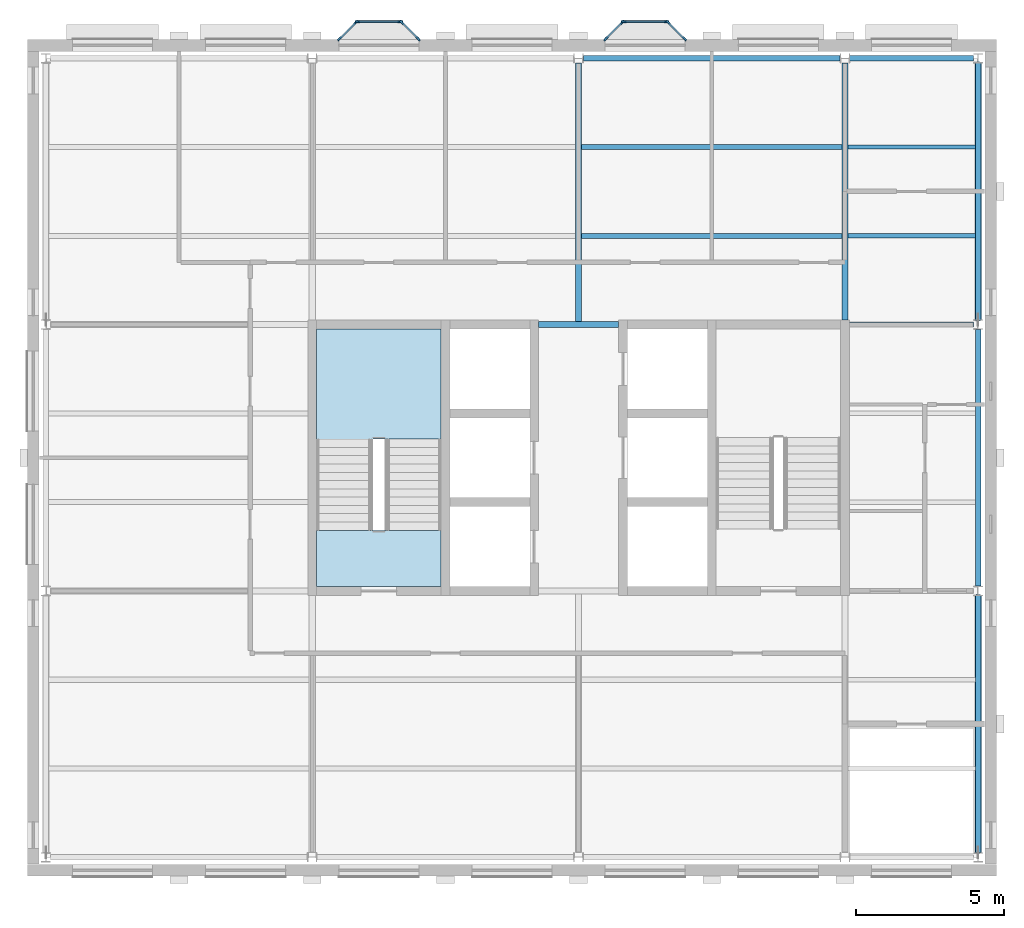
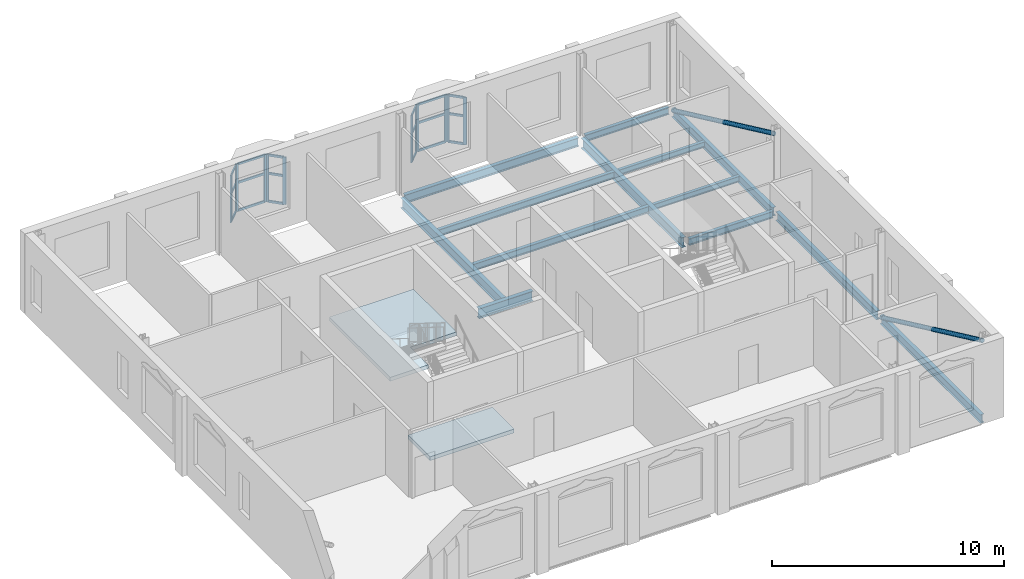
# One storey, part 2 of 9: 32 members, 13 beams, 2 slabs, 7 elements without a shape of their own.
"""IFC4 building model written with IfcOpenShell, lengths in metres."""

from ifc_helpers import new_model, si_unit, direction, frame, origin, origin_2d, place, context, subcontext, project, spatial, polyline, rectangle, hollow_circle, i_section, outline, extrude, material, layer, layer_set, material_profile, profile_set, type_object, element, aggregate, save


model = new_model("IFC4")

# Units and contexts
model_context = context("Model", 3, precision=1e-05, world=origin(), true_north=direction((0.0, 1.0)))
body_context = subcontext(model_context, "Body", "Model", "MODEL_VIEW")
ifc_project = project(units=[si_unit("LENGTHUNIT", "METRE"), si_unit("AREAUNIT", "SQUARE_METRE"), si_unit("VOLUMEUNIT", "CUBIC_METRE"), si_unit("PLANEANGLEUNIT", "RADIAN"), si_unit("MASSUNIT", "GRAM", prefix="KILO")], contexts=[model_context])

# Site, building, storey
site_placement = place(None, origin())
site = spatial("IfcSite", under=ifc_project, at=site_placement, CompositionType="ELEMENT")
building_placement = place(site_placement, origin())
building = spatial("IfcBuilding", under=site, at=building_placement, Name="Hortulan Conservatory and Botanical Research Centre", CompositionType="ELEMENT")
storey_placement = place(building_placement, frame((0.0, 0.0, 52.800048828125)))
storey = spatial("IfcBuildingStorey", under=building, at=storey_placement, Name="L12", CompositionType="ELEMENT", Elevation=52.800048828125)

# Members
ifc_material_1 = material(Name="Steel Grade C350L0 (350 MPa, AS/NZS 1163)", Category="steel")
ifc_material_profile_1 = material_profile(ifc_material_1, hollow_circle(Radius=0.109619140625, WallThickness=0.00830078125, at=origin_2d()), Name="219.1x8.2CHS")
ifc_profile_set_1 = profile_set([ifc_material_profile_1], Name="Steel Grade C350L0 (350 MPa, AS/NZS 1163)")
member_type_1 = type_object("IfcMemberType", Name="Brace 219.1x8.2CHS", PredefinedType="BRACE", material=ifc_profile_set_1)
for number, where, z_axis, x_axis, name in (
    (1, (31.5, 8.839599609375, -0.28369140625), (0.0, -0.906183139995, 0.422885465331), (1.0, 0.0, 0.0), "219.1x8.2CHS brace"),
    (2, (31.5, 26.839599609375, -0.28369140625), (0.0, -0.906183139995, 0.422885465331), (1.0, 0.0, 0.0), "219.1x8.2CHS brace"),
):
    element("IfcMember", number, at=place(storey_placement, frame(where, z_axis=z_axis, x_axis=x_axis)), inside=storey, type_object=member_type_1, Name=name, PredefinedType="BRACE", context=body_context, shape_type="SweptSolid", body=[
        extrude(hollow_circle(Radius=0.109619140625, WallThickness=0.00830078125, at=origin_2d()), origin(), (0.0, 0.0, 1.0), 9.57763671875),
    ])

# Curtain wall, members
ifc_material_2 = material(Name="Bronze-finished aluminium", Category="aluminium")
ifc_layer_1 = layer(ifc_material_2, 0.10009765625)
ifc_layer_set_1 = layer_set([ifc_layer_1], Name="Oriel Curtain Wall 1350 module")
curtain_wall_type = type_object("IfcCurtainWallType", Name="Oriel Curtain Wall 1350 module", PredefinedType="NOTDEFINED", material=ifc_layer_set_1)
curtain_wall_1_placement = place(storey_placement, origin())
curtain_wall_1 = element("IfcCurtainWall", 3, at=curtain_wall_1_placement, inside=storey, type_object=curtain_wall_type, Name="Oriel glazing", PredefinedType="NOTDEFINED")
ifc_material_profile_2 = material_profile(ifc_material_2, rectangle(XDim=0.06005859375, YDim=0.159912109375, at=origin_2d()), Name="Bronze Mullion 60x160")
ifc_profile_set_2 = profile_set([ifc_material_profile_2], Name="Bronze-finished aluminium")
member_type_2 = type_object("IfcMemberType", Name="Bronze Mullion 60x160", PredefinedType="MULLION", material=ifc_profile_set_2)
member_1_placement = place(storey_placement, frame((9.921142578125, 27.6572265625, 0.89990234375), z_axis=(0.0, 0.0, 1.0), x_axis=(-0.707106781187, 0.707106781187, 0.0)))
member_1 = element("IfcMember", 4, at=member_1_placement, type_object=member_type_2, Name="CW2 mullion 1", PredefinedType="MULLION", context=body_context, shape_type="SweptSolid", body=[
    extrude(rectangle(XDim=0.06005859375, YDim=0.159912109375, at=origin_2d()), origin(), (0.0, 0.0, 1.0), 2.5),
])
member_2_placement = place(storey_placement, frame((10.478759765625, 28.21484375, 0.89990234375), z_axis=(0.0, 0.0, 1.0), x_axis=(-0.707106781187, 0.707106781187, 0.0)))
member_2 = element("IfcMember", 5, at=member_2_placement, type_object=member_type_2, Name="CW2 mullion 2", PredefinedType="MULLION", context=body_context, shape_type="SweptSolid", body=[
    extrude(rectangle(XDim=0.06005859375, YDim=0.159912109375, at=origin_2d()), origin(), (0.0, 0.0, 1.0), 2.5),
])

curtain_wall_2_placement = place(storey_placement, origin())
curtain_wall_2 = element("IfcCurtainWall", 6, at=curtain_wall_2_placement, inside=storey, type_object=curtain_wall_type, Name="Oriel glazing", PredefinedType="NOTDEFINED")
member_3_placement = place(storey_placement, frame((10.530029296875, 28.236083984375, 0.89990234375), z_axis=(0.0, 0.0, 1.0), x_axis=(0.0, 1.0, 0.0)))
member_3 = element("IfcMember", 7, at=member_3_placement, type_object=member_type_2, Name="CW2 mullion 1", PredefinedType="MULLION", context=body_context, shape_type="SweptSolid", body=[
    extrude(rectangle(XDim=0.06005859375, YDim=0.159912109375, at=origin_2d()), origin(), (0.0, 0.0, 1.0), 2.5),
])
member_4_placement = place(storey_placement, frame((11.969970703125, 28.236083984375, 0.89990234375), z_axis=(0.0, 0.0, 1.0), x_axis=(0.0, 1.0, 0.0)))
member_4 = element("IfcMember", 8, at=member_4_placement, type_object=member_type_2, Name="CW2 mullion 2", PredefinedType="MULLION", context=body_context, shape_type="SweptSolid", body=[
    extrude(rectangle(XDim=0.06005859375, YDim=0.159912109375, at=origin_2d()), origin(), (0.0, 0.0, 1.0), 2.5),
])

curtain_wall_3_placement = place(storey_placement, origin())
curtain_wall_3 = element("IfcCurtainWall", 9, at=curtain_wall_3_placement, inside=storey, type_object=curtain_wall_type, Name="Oriel glazing", PredefinedType="NOTDEFINED")
member_5_placement = place(storey_placement, frame((12.021240234375, 28.21484375, 0.89990234375), z_axis=(0.0, 0.0, 1.0), x_axis=(0.707106781187, 0.707106781187, 0.0)))
member_5 = element("IfcMember", 10, at=member_5_placement, type_object=member_type_2, Name="CW2 mullion 1", PredefinedType="MULLION", context=body_context, shape_type="SweptSolid", body=[
    extrude(rectangle(XDim=0.06005859375, YDim=0.159912109375, at=origin_2d()), origin(), (0.0, 0.0, 1.0), 2.5),
])
member_6_placement = place(storey_placement, frame((12.578857421875, 27.6572265625, 0.89990234375), z_axis=(0.0, 0.0, 1.0), x_axis=(0.707106781187, 0.707106781187, 0.0)))
member_6 = element("IfcMember", 11, at=member_6_placement, type_object=member_type_2, Name="CW2 mullion 2", PredefinedType="MULLION", context=body_context, shape_type="SweptSolid", body=[
    extrude(rectangle(XDim=0.06005859375, YDim=0.159912109375, at=origin_2d()), origin(), (0.0, 0.0, 1.0), 2.5),
])

curtain_wall_4_placement = place(storey_placement, origin())
curtain_wall_4 = element("IfcCurtainWall", 12, at=curtain_wall_4_placement, inside=storey, type_object=curtain_wall_type, Name="Oriel glazing", PredefinedType="NOTDEFINED")
member_7_placement = place(storey_placement, frame((18.921142578125, 27.6572265625, 0.89990234375), z_axis=(0.0, 0.0, 1.0), x_axis=(-0.707106781187, 0.707106781187, 0.0)))
member_7 = element("IfcMember", 13, at=member_7_placement, type_object=member_type_2, Name="CW2 mullion 1", PredefinedType="MULLION", context=body_context, shape_type="SweptSolid", body=[
    extrude(rectangle(XDim=0.06005859375, YDim=0.159912109375, at=origin_2d()), origin(), (0.0, 0.0, 1.0), 2.5),
])
member_8_placement = place(storey_placement, frame((19.478759765625, 28.21484375, 0.89990234375), z_axis=(0.0, 0.0, 1.0), x_axis=(-0.707106781187, 0.707106781187, 0.0)))
member_8 = element("IfcMember", 14, at=member_8_placement, type_object=member_type_2, Name="CW2 mullion 2", PredefinedType="MULLION", context=body_context, shape_type="SweptSolid", body=[
    extrude(rectangle(XDim=0.06005859375, YDim=0.159912109375, at=origin_2d()), origin(), (0.0, 0.0, 1.0), 2.5),
])

curtain_wall_5_placement = place(storey_placement, origin())
curtain_wall_5 = element("IfcCurtainWall", 15, at=curtain_wall_5_placement, inside=storey, type_object=curtain_wall_type, Name="Oriel glazing", PredefinedType="NOTDEFINED")
member_9_placement = place(storey_placement, frame((19.530029296875, 28.236083984375, 0.89990234375), z_axis=(0.0, 0.0, 1.0), x_axis=(0.0, 1.0, 0.0)))
member_9 = element("IfcMember", 16, at=member_9_placement, type_object=member_type_2, Name="CW2 mullion 1", PredefinedType="MULLION", context=body_context, shape_type="SweptSolid", body=[
    extrude(rectangle(XDim=0.06005859375, YDim=0.159912109375, at=origin_2d()), origin(), (0.0, 0.0, 1.0), 2.5),
])
member_10_placement = place(storey_placement, frame((20.969970703125, 28.236083984375, 0.89990234375), z_axis=(0.0, 0.0, 1.0), x_axis=(0.0, 1.0, 0.0)))
member_10 = element("IfcMember", 17, at=member_10_placement, type_object=member_type_2, Name="CW2 mullion 2", PredefinedType="MULLION", context=body_context, shape_type="SweptSolid", body=[
    extrude(rectangle(XDim=0.06005859375, YDim=0.159912109375, at=origin_2d()), origin(), (0.0, 0.0, 1.0), 2.5),
])

curtain_wall_6_placement = place(storey_placement, origin())
curtain_wall_6 = element("IfcCurtainWall", 18, at=curtain_wall_6_placement, inside=storey, type_object=curtain_wall_type, Name="Oriel glazing", PredefinedType="NOTDEFINED")
member_11_placement = place(storey_placement, frame((21.021240234375, 28.21484375, 0.89990234375), z_axis=(0.0, 0.0, 1.0), x_axis=(0.707106781187, 0.707106781187, 0.0)))
member_11 = element("IfcMember", 19, at=member_11_placement, type_object=member_type_2, Name="CW2 mullion 1", PredefinedType="MULLION", context=body_context, shape_type="SweptSolid", body=[
    extrude(rectangle(XDim=0.06005859375, YDim=0.159912109375, at=origin_2d()), origin(), (0.0, 0.0, 1.0), 2.5),
])
member_12_placement = place(storey_placement, frame((21.578857421875, 27.6572265625, 0.89990234375), z_axis=(0.0, 0.0, 1.0), x_axis=(0.707106781187, 0.707106781187, 0.0)))
member_12 = element("IfcMember", 20, at=member_12_placement, type_object=member_type_2, Name="CW2 mullion 2", PredefinedType="MULLION", context=body_context, shape_type="SweptSolid", body=[
    extrude(rectangle(XDim=0.06005859375, YDim=0.159912109375, at=origin_2d()), origin(), (0.0, 0.0, 1.0), 2.5),
])

# Member
ifc_material_profile_3 = material_profile(ifc_material_2, rectangle(XDim=0.06005859375, YDim=0.1201171875, at=origin_2d()), Name="Bronze Transom 60x120")
ifc_profile_set_3 = profile_set([ifc_material_profile_3], Name="Bronze-finished aluminium")
member_type_3 = type_object("IfcMemberType", Name="Bronze Transom 60x120", PredefinedType="USERDEFINED", material=ifc_profile_set_3)
member_13_placement = place(storey_placement, frame((9.9423828125, 27.678466796875, 0.929931640625), z_axis=(0.707106781187, 0.707106781187, 0.0), x_axis=(-0.707106781187, 0.707106781187, 0.0)))
member_13 = element("IfcMember", 21, at=member_13_placement, type_object=member_type_3, Name="CW2 transom 1.1", ObjectType="TRANSOM", PredefinedType="USERDEFINED", context=body_context, shape_type="SweptSolid", body=[
    extrude(rectangle(XDim=0.06005859375, YDim=0.1201171875, at=origin_2d()), origin(), (0.0, 0.0, 1.0), 0.728515625),
])

member_14_placement = place(storey_placement, frame((9.9423828125, 27.678466796875, 2.39990234375), z_axis=(0.707106781187, 0.707106781187, 0.0), x_axis=(-0.707106781187, 0.707106781187, 0.0)))
member_14 = element("IfcMember", 22, at=member_14_placement, type_object=member_type_3, Name="CW2 transom 1.2", ObjectType="TRANSOM", PredefinedType="USERDEFINED", context=body_context, shape_type="SweptSolid", body=[
    extrude(rectangle(XDim=0.06005859375, YDim=0.1201171875, at=origin_2d()), origin(), (0.0, 0.0, 1.0), 0.728515625),
])

member_15_placement = place(storey_placement, frame((9.9423828125, 27.678466796875, 3.369873046875), z_axis=(0.707106781187, 0.707106781187, 0.0), x_axis=(-0.707106781187, 0.707106781187, 0.0)))
member_15 = element("IfcMember", 23, at=member_15_placement, type_object=member_type_3, Name="CW2 transom 1.3", ObjectType="TRANSOM", PredefinedType="USERDEFINED", context=body_context, shape_type="SweptSolid", body=[
    extrude(rectangle(XDim=0.06005859375, YDim=0.1201171875, at=origin_2d()), origin(), (0.0, 0.0, 1.0), 0.728515625),
])

aggregate(curtain_wall_1, [member_1, member_2, member_13, member_14, member_15])

member_16_placement = place(storey_placement, frame((10.56005859375, 28.236083984375, 0.929931640625), z_axis=(1.0, 0.0, 0.0), x_axis=(0.0, 1.0, 0.0)))
member_16 = element("IfcMember", 24, at=member_16_placement, type_object=member_type_3, Name="CW2 transom 1.1", ObjectType="TRANSOM", PredefinedType="USERDEFINED", context=body_context, shape_type="SweptSolid", body=[
    extrude(rectangle(XDim=0.06005859375, YDim=0.1201171875, at=origin_2d()), origin(), (0.0, 0.0, 1.0), 1.3798828125),
])

member_17_placement = place(storey_placement, frame((10.56005859375, 28.236083984375, 2.39990234375), z_axis=(1.0, 0.0, 0.0), x_axis=(0.0, 1.0, 0.0)))
member_17 = element("IfcMember", 25, at=member_17_placement, type_object=member_type_3, Name="CW2 transom 1.2", ObjectType="TRANSOM", PredefinedType="USERDEFINED", context=body_context, shape_type="SweptSolid", body=[
    extrude(rectangle(XDim=0.06005859375, YDim=0.1201171875, at=origin_2d()), origin(), (0.0, 0.0, 1.0), 1.3798828125),
])

member_18_placement = place(storey_placement, frame((10.56005859375, 28.236083984375, 3.369873046875), z_axis=(1.0, 0.0, 0.0), x_axis=(0.0, 1.0, 0.0)))
member_18 = element("IfcMember", 26, at=member_18_placement, type_object=member_type_3, Name="CW2 transom 1.3", ObjectType="TRANSOM", PredefinedType="USERDEFINED", context=body_context, shape_type="SweptSolid", body=[
    extrude(rectangle(XDim=0.06005859375, YDim=0.1201171875, at=origin_2d()), origin(), (0.0, 0.0, 1.0), 1.3798828125),
])

aggregate(curtain_wall_2, [member_3, member_4, member_16, member_17, member_18])

member_19_placement = place(storey_placement, frame((12.04248046875, 28.193603515625, 0.929931640625), z_axis=(0.707106781187, -0.707106781187, 0.0), x_axis=(0.707106781187, 0.707106781187, 0.0)))
member_19 = element("IfcMember", 27, at=member_19_placement, type_object=member_type_3, Name="CW2 transom 1.1", ObjectType="TRANSOM", PredefinedType="USERDEFINED", context=body_context, shape_type="SweptSolid", body=[
    extrude(rectangle(XDim=0.06005859375, YDim=0.1201171875, at=origin_2d()), origin(), (0.0, 0.0, 1.0), 0.728515625),
])

member_20_placement = place(storey_placement, frame((12.04248046875, 28.193603515625, 2.39990234375), z_axis=(0.707106781187, -0.707106781187, 0.0), x_axis=(0.707106781187, 0.707106781187, 0.0)))
member_20 = element("IfcMember", 28, at=member_20_placement, type_object=member_type_3, Name="CW2 transom 1.2", ObjectType="TRANSOM", PredefinedType="USERDEFINED", context=body_context, shape_type="SweptSolid", body=[
    extrude(rectangle(XDim=0.06005859375, YDim=0.1201171875, at=origin_2d()), origin(), (0.0, 0.0, 1.0), 0.728515625),
])

member_21_placement = place(storey_placement, frame((12.04248046875, 28.193603515625, 3.369873046875), z_axis=(0.707106781187, -0.707106781187, 0.0), x_axis=(0.707106781187, 0.707106781187, 0.0)))
member_21 = element("IfcMember", 29, at=member_21_placement, type_object=member_type_3, Name="CW2 transom 1.3", ObjectType="TRANSOM", PredefinedType="USERDEFINED", context=body_context, shape_type="SweptSolid", body=[
    extrude(rectangle(XDim=0.06005859375, YDim=0.1201171875, at=origin_2d()), origin(), (0.0, 0.0, 1.0), 0.728515625),
])

aggregate(curtain_wall_3, [member_5, member_6, member_19, member_20, member_21])

member_22_placement = place(storey_placement, frame((18.9423828125, 27.678466796875, 0.929931640625), z_axis=(0.707106781187, 0.707106781187, 0.0), x_axis=(-0.707106781187, 0.707106781187, 0.0)))
member_22 = element("IfcMember", 30, at=member_22_placement, type_object=member_type_3, Name="CW2 transom 1.1", ObjectType="TRANSOM", PredefinedType="USERDEFINED", context=body_context, shape_type="SweptSolid", body=[
    extrude(rectangle(XDim=0.06005859375, YDim=0.1201171875, at=origin_2d()), origin(), (0.0, 0.0, 1.0), 0.728515625),
])

member_23_placement = place(storey_placement, frame((18.9423828125, 27.678466796875, 2.39990234375), z_axis=(0.707106781187, 0.707106781187, 0.0), x_axis=(-0.707106781187, 0.707106781187, 0.0)))
member_23 = element("IfcMember", 31, at=member_23_placement, type_object=member_type_3, Name="CW2 transom 1.2", ObjectType="TRANSOM", PredefinedType="USERDEFINED", context=body_context, shape_type="SweptSolid", body=[
    extrude(rectangle(XDim=0.06005859375, YDim=0.1201171875, at=origin_2d()), origin(), (0.0, 0.0, 1.0), 0.728515625),
])

member_24_placement = place(storey_placement, frame((18.9423828125, 27.678466796875, 3.369873046875), z_axis=(0.707106781187, 0.707106781187, 0.0), x_axis=(-0.707106781187, 0.707106781187, 0.0)))
member_24 = element("IfcMember", 32, at=member_24_placement, type_object=member_type_3, Name="CW2 transom 1.3", ObjectType="TRANSOM", PredefinedType="USERDEFINED", context=body_context, shape_type="SweptSolid", body=[
    extrude(rectangle(XDim=0.06005859375, YDim=0.1201171875, at=origin_2d()), origin(), (0.0, 0.0, 1.0), 0.728515625),
])

aggregate(curtain_wall_4, [member_7, member_8, member_22, member_23, member_24])

member_25_placement = place(storey_placement, frame((19.56005859375, 28.236083984375, 0.929931640625), z_axis=(1.0, 0.0, 0.0), x_axis=(0.0, 1.0, 0.0)))
member_25 = element("IfcMember", 33, at=member_25_placement, type_object=member_type_3, Name="CW2 transom 1.1", ObjectType="TRANSOM", PredefinedType="USERDEFINED", context=body_context, shape_type="SweptSolid", body=[
    extrude(rectangle(XDim=0.06005859375, YDim=0.1201171875, at=origin_2d()), origin(), (0.0, 0.0, 1.0), 1.3798828125),
])

member_26_placement = place(storey_placement, frame((19.56005859375, 28.236083984375, 2.39990234375), z_axis=(1.0, 0.0, 0.0), x_axis=(0.0, 1.0, 0.0)))
member_26 = element("IfcMember", 34, at=member_26_placement, type_object=member_type_3, Name="CW2 transom 1.2", ObjectType="TRANSOM", PredefinedType="USERDEFINED", context=body_context, shape_type="SweptSolid", body=[
    extrude(rectangle(XDim=0.06005859375, YDim=0.1201171875, at=origin_2d()), origin(), (0.0, 0.0, 1.0), 1.3798828125),
])

member_27_placement = place(storey_placement, frame((19.56005859375, 28.236083984375, 3.369873046875), z_axis=(1.0, 0.0, 0.0), x_axis=(0.0, 1.0, 0.0)))
member_27 = element("IfcMember", 35, at=member_27_placement, type_object=member_type_3, Name="CW2 transom 1.3", ObjectType="TRANSOM", PredefinedType="USERDEFINED", context=body_context, shape_type="SweptSolid", body=[
    extrude(rectangle(XDim=0.06005859375, YDim=0.1201171875, at=origin_2d()), origin(), (0.0, 0.0, 1.0), 1.3798828125),
])

aggregate(curtain_wall_5, [member_9, member_10, member_25, member_26, member_27])

member_28_placement = place(storey_placement, frame((21.04248046875, 28.193603515625, 0.929931640625), z_axis=(0.707106781187, -0.707106781187, 0.0), x_axis=(0.707106781187, 0.707106781187, 0.0)))
member_28 = element("IfcMember", 36, at=member_28_placement, type_object=member_type_3, Name="CW2 transom 1.1", ObjectType="TRANSOM", PredefinedType="USERDEFINED", context=body_context, shape_type="SweptSolid", body=[
    extrude(rectangle(XDim=0.06005859375, YDim=0.1201171875, at=origin_2d()), origin(), (0.0, 0.0, 1.0), 0.728515625),
])

member_29_placement = place(storey_placement, frame((21.04248046875, 28.193603515625, 2.39990234375), z_axis=(0.707106781187, -0.707106781187, 0.0), x_axis=(0.707106781187, 0.707106781187, 0.0)))
member_29 = element("IfcMember", 37, at=member_29_placement, type_object=member_type_3, Name="CW2 transom 1.2", ObjectType="TRANSOM", PredefinedType="USERDEFINED", context=body_context, shape_type="SweptSolid", body=[
    extrude(rectangle(XDim=0.06005859375, YDim=0.1201171875, at=origin_2d()), origin(), (0.0, 0.0, 1.0), 0.728515625),
])

member_30_placement = place(storey_placement, frame((21.04248046875, 28.193603515625, 3.369873046875), z_axis=(0.707106781187, -0.707106781187, 0.0), x_axis=(0.707106781187, 0.707106781187, 0.0)))
member_30 = element("IfcMember", 38, at=member_30_placement, type_object=member_type_3, Name="CW2 transom 1.3", ObjectType="TRANSOM", PredefinedType="USERDEFINED", context=body_context, shape_type="SweptSolid", body=[
    extrude(rectangle(XDim=0.06005859375, YDim=0.1201171875, at=origin_2d()), origin(), (0.0, 0.0, 1.0), 0.728515625),
])

aggregate(curtain_wall_6, [member_11, member_12, member_28, member_29, member_30])

# Beams
ifc_material_3 = material(Name="Steel Grade 300PLUS (AS/NZS 3679.1, 280 MPa minimum yield)", Category="steel")
ifc_material_profile_4 = material_profile(ifc_material_3, i_section(OverallWidth=0.1708984375, OverallDepth=0.35595703125, WebThickness=0.00732421875, FlangeThickness=0.011474609375, FilletRadius=0.011474609375, at=origin_2d()), Name="360UB50.7")
ifc_profile_set_4 = profile_set([ifc_material_profile_4], Name="Steel Grade 300PLUS (AS/NZS 3679.1, 280 MPa minimum yield)")
beam_type_1 = type_object("IfcBeamType", Name="Primary Beam 360UB50.7", PredefinedType="BEAM", material=ifc_profile_set_4)
beam_1_placement = place(storey_placement, frame((27.160400390625, 27.0, -0.30810546875), z_axis=(1.0, 0.0, 0.0), x_axis=(0.0, 1.0, 0.0)))
element("IfcBeam", 39, at=beam_1_placement, inside=storey, type_object=beam_type_1, Name="360UB50.7 girder", PredefinedType="BEAM", context=body_context, shape_type="SweptSolid", body=[
    extrude(i_section(OverallWidth=0.1708984375, OverallDepth=0.35595703125, WebThickness=0.00732421875, FlangeThickness=0.011474609375, FilletRadius=0.011474609375, at=origin_2d()), origin(), (0.0, 0.0, 1.0), 4.18505859375),
])
beam_2_placement = place(storey_placement, frame((27.14990234375, 18.0, -0.30810546875), z_axis=(1.0, 0.0, 0.0), x_axis=(0.0, 1.0, 0.0)))
element("IfcBeam", 40, at=beam_2_placement, inside=storey, type_object=beam_type_1, Name="360UB50.7 girder", PredefinedType="BEAM", context=body_context, shape_type="SweptSolid", body=[
    extrude(i_section(OverallWidth=0.1708984375, OverallDepth=0.35595703125, WebThickness=0.00732421875, FlangeThickness=0.011474609375, FilletRadius=0.011474609375, at=origin_2d()), origin(), (0.0, 0.0, 1.0), 4.195556640625),
])
ifc_material_profile_5 = material_profile(ifc_material_3, i_section(OverallWidth=0.18994140625, OverallDepth=0.45703125, WebThickness=0.009033203125, FlangeThickness=0.014404296875, FilletRadius=0.011474609375, at=origin_2d()), Name="460UB74.6")
ifc_profile_set_5 = profile_set([ifc_material_profile_5], Name="Steel Grade 300PLUS (AS/NZS 3679.1, 280 MPa minimum yield)")
beam_type_2 = type_object("IfcBeamType", Name="Primary Beam 460UB74.6", PredefinedType="BEAM", material=ifc_profile_set_5)
for number, where, z_axis, x_axis, name in (
    (41, (18.160400390625, 27.0, -0.358642578125), (1.0, 0.0, 0.0), (0.0, 1.0, 0.0), "460UB74.6 girder"),
    (42, (31.5, 0.160400390625, -0.358642578125), (0.0, 1.0, 0.0), (-1.0, 0.0, 0.0), "460UB74.6 girder"),
    (43, (31.5, 9.160400390625, -0.358642578125), (0.0, 1.0, 0.0), (-1.0, 0.0, 0.0), "460UB74.6 girder"),
    (44, (31.5, 18.160400390625, -0.358642578125), (0.0, 1.0, 0.0), (-1.0, 0.0, 0.0), "460UB74.6 girder"),
):
    element("IfcBeam", number, at=place(storey_placement, frame(where, z_axis=z_axis, x_axis=x_axis)), inside=storey, type_object=beam_type_2, Name=name, PredefinedType="BEAM", context=body_context, shape_type="SweptSolid", body=[
        extrude(i_section(OverallWidth=0.18994140625, OverallDepth=0.45703125, WebThickness=0.009033203125, FlangeThickness=0.014404296875, FilletRadius=0.011474609375, at=origin_2d()), origin(), (0.0, 0.0, 1.0), 8.67919921875),
    ])
ifc_material_profile_6 = material_profile(ifc_material_3, i_section(OverallWidth=0.208984375, OverallDepth=0.528076171875, WebThickness=0.009521484375, FlangeThickness=0.01318359375, FilletRadius=0.013916015625, at=origin_2d()), Name="530UB82.0")
ifc_profile_set_6 = profile_set([ifc_material_profile_6], Name="Steel Grade 300PLUS (AS/NZS 3679.1, 280 MPa minimum yield)")
beam_type_3 = type_object("IfcBeamType", Name="Primary Beam 530UB82.0", PredefinedType="BEAM", material=ifc_profile_set_6)
beam_3_placement = place(storey_placement, frame((16.64990234375, 18.0, -0.39404296875), z_axis=(1.0, 0.0, 0.0), x_axis=(0.0, 1.0, 0.0)))
element("IfcBeam", 45, at=beam_3_placement, inside=storey, type_object=beam_type_3, Name="530UB82.0 girder", PredefinedType="BEAM", context=body_context, shape_type="SweptSolid", body=[
    extrude(i_section(OverallWidth=0.208984375, OverallDepth=0.528076171875, WebThickness=0.009521484375, FlangeThickness=0.01318359375, FilletRadius=0.013916015625, at=origin_2d()), origin(), (0.0, 0.0, 1.0), 2.7001953125),
])
beam_4_placement = place(storey_placement, frame((18.0, 18.0, -0.39404296875), z_axis=(0.0, 1.0, 0.0), x_axis=(-1.0, 0.0, 0.0)))
element("IfcBeam", 46, at=beam_4_placement, inside=storey, type_object=beam_type_3, Name="530UB82.0 girder", PredefinedType="BEAM", context=body_context, shape_type="SweptSolid", body=[
    extrude(i_section(OverallWidth=0.208984375, OverallDepth=0.528076171875, WebThickness=0.009521484375, FlangeThickness=0.01318359375, FilletRadius=0.013916015625, at=origin_2d()), origin(), (0.0, 0.0, 1.0), 8.845458984375),
])
beam_5_placement = place(storey_placement, frame((27.0, 18.14990234375, -0.39404296875), z_axis=(0.0, 1.0, 0.0), x_axis=(-1.0, 0.0, 0.0)))
element("IfcBeam", 47, at=beam_5_placement, inside=storey, type_object=beam_type_3, Name="530UB82.0 girder", PredefinedType="BEAM", context=body_context, shape_type="SweptSolid", body=[
    extrude(i_section(OverallWidth=0.208984375, OverallDepth=0.528076171875, WebThickness=0.009521484375, FlangeThickness=0.01318359375, FilletRadius=0.013916015625, at=origin_2d()), origin(), (0.0, 0.0, 1.0), 8.695556640625),
])
ifc_material_profile_7 = material_profile(ifc_material_3, i_section(OverallWidth=0.14892578125, OverallDepth=0.298095703125, WebThickness=0.005615234375, FlangeThickness=0.008056640625, FilletRadius=0.012939453125, at=origin_2d()), Name="310UB32.0")
ifc_profile_set_7 = profile_set([ifc_material_profile_7], Name="Steel Grade 300PLUS (AS/NZS 3679.1, 280 MPa minimum yield)")
beam_type_4 = type_object("IfcBeamType", Name="Secondary Beam 310UB32.0", PredefinedType="JOIST", material=ifc_profile_set_7)
for number, where, z_axis, x_axis, name in (
    (48, (27.1044921875, 21.0, -0.279052734375), (1.0, 0.0, 0.0), (0.0, 1.0, 0.0), "310UB32.0 secondary beam"),
    (49, (27.1044921875, 24.0, -0.279052734375), (1.0, 0.0, 0.0), (0.0, 1.0, 0.0), "310UB32.0 secondary beam"),
):
    element("IfcBeam", number, at=place(storey_placement, frame(where, z_axis=z_axis, x_axis=x_axis)), inside=storey, type_object=beam_type_4, Name=name, PredefinedType="JOIST", context=body_context, shape_type="SweptSolid", body=[
        extrude(i_section(OverallWidth=0.14892578125, OverallDepth=0.298095703125, WebThickness=0.005615234375, FlangeThickness=0.008056640625, FilletRadius=0.012939453125, at=origin_2d()), origin(), (0.0, 0.0, 1.0), 4.300537109375),
    ])
ifc_material_profile_8 = material_profile(ifc_material_3, i_section(OverallWidth=0.1708984375, OverallDepth=0.35595703125, WebThickness=0.00732421875, FlangeThickness=0.011474609375, FilletRadius=0.011474609375, at=origin_2d()), Name="360UB50.7")
ifc_profile_set_8 = profile_set([ifc_material_profile_8], Name="Steel Grade 300PLUS (AS/NZS 3679.1, 280 MPa minimum yield)")
beam_type_5 = type_object("IfcBeamType", Name="Secondary Beam 360UB50.7", PredefinedType="JOIST", material=ifc_profile_set_8)
for number, where, z_axis, x_axis, name in (
    (50, (18.1044921875, 21.0, -0.30810546875), (1.0, 0.0, 0.0), (0.0, 1.0, 0.0), "360UB50.7 secondary beam"),
    (51, (18.1044921875, 24.0, -0.30810546875), (1.0, 0.0, 0.0), (0.0, 1.0, 0.0), "360UB50.7 secondary beam"),
):
    element("IfcBeam", number, at=place(storey_placement, frame(where, z_axis=z_axis, x_axis=x_axis)), inside=storey, type_object=beam_type_5, Name=name, PredefinedType="JOIST", context=body_context, shape_type="SweptSolid", body=[
        extrude(i_section(OverallWidth=0.1708984375, OverallDepth=0.35595703125, WebThickness=0.00732421875, FlangeThickness=0.011474609375, FilletRadius=0.011474609375, at=origin_2d()), origin(), (0.0, 0.0, 1.0), 8.791015625),
    ])

# Stair, slab
ifc_material_4 = material(Name="Concrete N40 (40 MPa, AS 3600)", Category="concrete")
stair_type = type_object("IfcStairType", Name="Concrete Escape Stair 1900", PredefinedType="HALF_TURN_STAIR", material=ifc_material_4)
stair_placement = place(storey_placement, origin())
stair = element("IfcStair", 52, at=stair_placement, inside=storey, type_object=stair_type, Name="Stair T1 L12", PredefinedType="HALF_TURN_STAIR")
ifc_layer_2 = layer(ifc_material_4, 0.199951171875)
ifc_layer_set_2 = layer_set([ifc_layer_2], Name="Stair Landing 200")
slab_type = type_object("IfcSlabType", Name="Stair Landing 200", PredefinedType="LANDING", material=ifc_layer_set_2)
slab_1_placement = place(storey_placement, frame((0.0, 0.0, 1.89990234375)))
slab_1 = element("IfcSlab", 53, at=slab_1_placement, type_object=slab_type, Name="Stair T1 L12 half landing 1", PredefinedType="LANDING", context=body_context, shape_type="SweptSolid", body=[
    extrude(outline(polyline([(13.35009765625, 14.12939453125), (11.050048828125, 14.12939453125), (11.050048828125, 12.590087890625), (9.14990234375, 12.590087890625), (9.14990234375, 14.12939453125), (9.14990234375, 14.1298828125), (9.14990234375, 14.139892578125), (9.14990234375, 17.85009765625), (13.35009765625, 17.85009765625), (13.35009765625, 14.139892578125), (13.35009765625, 14.1298828125), (13.35009765625, 14.12939453125)])), origin(), (0.0, 0.0, 1.0), 0.199951171875),
])
aggregate(stair, [slab_1])

# Slab
slab_2_placement = place(storey_placement, frame((0.0, 0.0, -0.199951171875)))
element("IfcSlab", 54, at=slab_2_placement, inside=storey, type_object=slab_type, Name="Stair T1 floor landing L12", PredefinedType="LANDING", context=body_context, shape_type="SweptSolid", body=[
    extrude(outline(polyline([(13.35009765625, 9.14990234375), (9.14990234375, 9.14990234375), (9.14990234375, 11.050048828125), (13.35009765625, 11.050048828125), (13.35009765625, 9.14990234375)])), origin(), (0.0, 0.0, 1.0), 0.199951171875),
])

save(model, "model.ifc")
